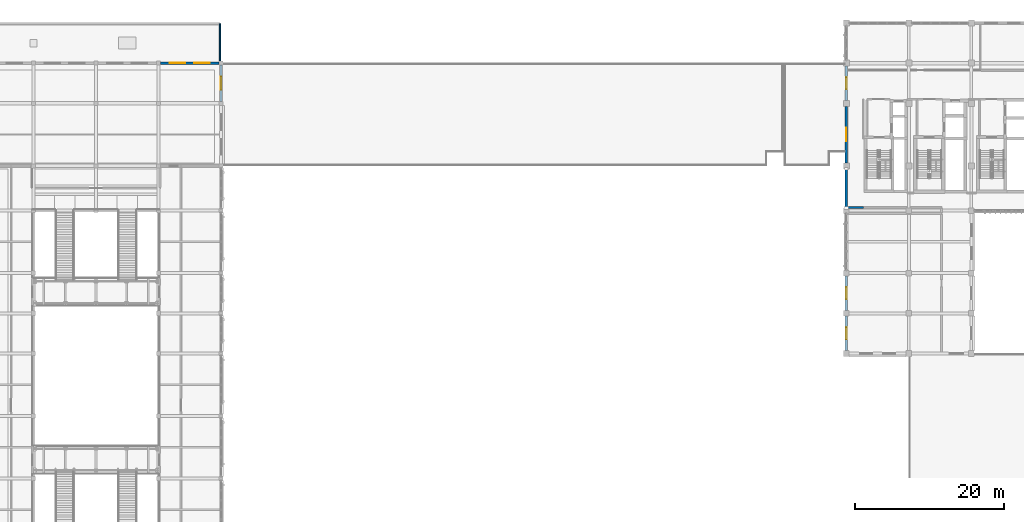
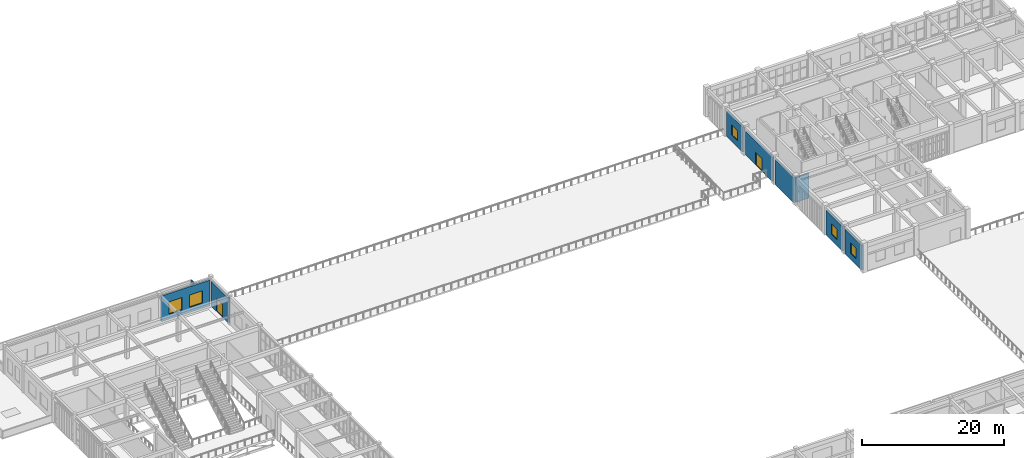
# One storey, part 78 of 93: 9 walls, 5 windows, 2 doors, 7 openings.
"""IFC4 building model written with IfcOpenShell, lengths in metres."""

from ifc_helpers import new_model, si_unit, direction, frame, frame_2d, origin, place, context, subcontext, project, spatial, rectangle, extrude, material, layer, layer_set, type_object, element, fill, save


model = new_model("IFC4")

# Units and contexts
model_context = context("Model", 3, precision=1e-05, world=origin(), true_north=direction((0.0, 1.0)))
body_context = subcontext(model_context, "Body", "Model", "MODEL_VIEW")
ifc_project = project(units=[si_unit("LENGTHUNIT", "METRE"), si_unit("AREAUNIT", "SQUARE_METRE"), si_unit("VOLUMEUNIT", "CUBIC_METRE"), si_unit("PLANEANGLEUNIT", "RADIAN"), si_unit("MASSUNIT", "GRAM", prefix="KILO")], contexts=[model_context])

# Site, building, storey
site_placement = place(None, origin())
site = spatial("IfcSite", under=ifc_project, at=site_placement, CompositionType="ELEMENT")
building_placement = place(site_placement, origin())
building = spatial("IfcBuilding", under=site, at=building_placement, Name="Krzemoval Escarpment Law Courts", CompositionType="ELEMENT")
storey_placement = place(building_placement, frame((0.0, 0.0, 10.199951171875)))
storey = spatial("IfcBuildingStorey", under=building, at=storey_placement, Name="L02", CompositionType="ELEMENT", Elevation=10.199951171875)

# Wall, openings, windows
ifc_material_1 = material(Name="Precast concrete C40/50", Category="concrete")
ifc_layer_1 = layer(ifc_material_1, 0.300048828125)
ifc_layer_set_1 = layer_set([ifc_layer_1], Name="Precast concrete C40/50")
wall_type_1 = type_object("IfcWallType", Name="WL-EXT-300", PredefinedType="SOLIDWALL", material=ifc_layer_set_1)
wall_1_placement = place(storey_placement, frame((33.875, 113.39990234375, 0.0), z_axis=(0.0, 0.0, 1.0), x_axis=(1.0, 0.0, 0.0)))
wall_1 = element("IfcWall", 1, at=wall_1_placement, inside=storey, type_object=wall_type_1, Name="Exterior Wall EW-L02-0272", PredefinedType="SOLIDWALL", context=body_context, shape_type="SweptSolid", body=[
    extrude(rectangle(XDim=7.85009765625, YDim=0.300048828125, at=frame_2d((3.925048828125, 0.0))), origin(), (0.0, 0.0, 1.0), 4.429931640625),
])
opening_1_placement = place(wall_1_placement, frame((1.217041015625, 0.0, 0.89990234375)))
opening_1 = element("IfcOpeningElement", 2, at=opening_1_placement, cuts=wall_1, Name="Opening WN-L02-0292", PredefinedType="OPENING", context=body_context, shape_type="SweptSolid", body=[
    extrude(rectangle(XDim=2.10009765625, YDim=2.10009765625, at=frame_2d((1.050048828125, 1.050048828125))), frame((0.0, 0.16502, 0.0), z_axis=(0.0, -1.0, 0.0), x_axis=(1.0, 0.0, 0.0)), (0.0, 0.0, 1.0), 0.33005),
])
opening_2_placement = place(wall_1_placement, frame((4.532958984375, 0.0, 0.89990234375)))
opening_2 = element("IfcOpeningElement", 3, at=opening_2_placement, cuts=wall_1, Name="Opening WN-L02-0293", PredefinedType="OPENING", context=body_context, shape_type="SweptSolid", body=[
    extrude(rectangle(XDim=2.10009765625, YDim=2.10009765625, at=frame_2d((1.050048828125, 1.050048828125))), frame((0.0, 0.16502, 0.0), z_axis=(0.0, -1.0, 0.0), x_axis=(1.0, 0.0, 0.0)), (0.0, 0.0, 1.0), 0.33005),
])
ifc_material_2 = material(Name="Thermally Broken Aluminium Frame with Triple Low-E Acoustic Glass", Category="aluminium")
window_type_1 = type_object("IfcWindowType", Name="WN-2100x2100", PartitioningType="SINGLE_PANEL", PredefinedType="WINDOW", material=ifc_material_2)
window_1_placement = place(opening_1_placement, origin())
window_1 = element("IfcWindow", 4, at=window_1_placement, inside=storey, type_object=window_type_1, Name="Facade Window WN-L02-0292", OverallHeight=2.10009765625, OverallWidth=2.10009765625, PartitioningType="SINGLE_PANEL", PredefinedType="WINDOW", context=body_context, shape_type="SweptSolid", body=[
    extrude(rectangle(XDim=2.10009765625, YDim=2.10009765625, at=frame_2d((1.050048828125, 1.050048828125))), frame((0.0, 0.030029296875, 0.0), z_axis=(0.0, -1.0, 0.0), x_axis=(1.0, 0.0, 0.0)), (0.0, 0.0, 1.0), 0.06005859375),
])
fill(opening_1, window_1)
window_2_placement = place(opening_2_placement, origin())
window_2 = element("IfcWindow", 5, at=window_2_placement, inside=storey, type_object=window_type_1, Name="Facade Window WN-L02-0293", OverallHeight=2.10009765625, OverallWidth=2.10009765625, PartitioningType="SINGLE_PANEL", PredefinedType="WINDOW", context=body_context, shape_type="SweptSolid", body=[
    extrude(rectangle(XDim=2.10009765625, YDim=2.10009765625, at=frame_2d((1.050048828125, 1.050048828125))), frame((0.0, 0.030029296875, 0.0), z_axis=(0.0, -1.0, 0.0), x_axis=(1.0, 0.0, 0.0)), (0.0, 0.0, 1.0), 0.06005859375),
])
fill(opening_2, window_2)

# Wall, opening, door
wall_2_placement = place(storey_placement, frame((42.0, 113.125, 0.0), z_axis=(0.0, 0.0, 1.0), x_axis=(0.0, -1.0, 0.0)))
wall_2 = element("IfcWall", 6, at=wall_2_placement, inside=storey, type_object=wall_type_1, Name="Exterior Wall EW-L02-0273", PredefinedType="SOLIDWALL", context=body_context, shape_type="SweptSolid", body=[
    extrude(rectangle(XDim=4.85009765625, YDim=0.300048828125, at=frame_2d((2.425048828125, 0.0))), origin(), (0.0, 0.0, 1.0), 4.27001953125),
])
opening_3_placement = place(wall_2_placement, frame((1.52490234375, 0.0, 0.0)))
opening_3 = element("IfcOpeningElement", 7, at=opening_3_placement, cuts=wall_2, Name="Opening TD-L02-18", PredefinedType="OPENING", context=body_context, shape_type="SweptSolid", body=[
    extrude(rectangle(XDim=1.800048828125, YDim=2.199951171875, at=frame_2d((0.89990234375, 1.10009765625))), frame((0.0, 0.16502, 0.0), z_axis=(0.0, -1.0, 0.0), x_axis=(1.0, 0.0, 0.0)), (0.0, 0.0, 1.0), 0.33005),
])
ifc_material_3 = material(Name="Thermally Broken Aluminium and Laminated Safety Glass", Category="aluminium")
door_type = type_object("IfcDoorType", Name="DR-TER-1800x2200", OperationType="SINGLE_SWING_LEFT", PredefinedType="DOOR", material=ifc_material_3)
door_1_placement = place(opening_3_placement, origin())
door_1 = element("IfcDoor", 8, at=door_1_placement, inside=storey, type_object=door_type, Name="Terrace Access Door TD-L02-18", OperationType="DOUBLE_DOOR_SINGLE_SWING", OverallHeight=2.199951171875, OverallWidth=1.800048828125, PredefinedType="DOOR", context=body_context, shape_type="SweptSolid", body=[
    extrude(rectangle(XDim=1.800048828125, YDim=2.199951171875, at=frame_2d((0.89990234375, 1.10009765625))), frame((0.0, 0.02490234375, 0.0), z_axis=(0.0, -1.0, 0.0), x_axis=(1.0, 0.0, 0.0)), (0.0, 0.0, 1.0), 0.050048828125),
])
fill(opening_3, door_1)

# Wall, opening, window
wall_3_placement = place(storey_placement, frame((126.0, 74.77490234375, 0.0), z_axis=(0.0, 0.0, 1.0), x_axis=(0.0, 1.0, 0.0)))
wall_3 = element("IfcWall", 9, at=wall_3_placement, inside=storey, type_object=wall_type_1, Name="Exterior Wall EW-L02-0323", PredefinedType="SOLIDWALL", context=body_context, shape_type="SweptSolid", body=[
    extrude(rectangle(XDim=4.650146484375, YDim=0.300048828125, at=frame_2d((2.3251953125, 0.0))), origin(), (0.0, 0.0, 1.0), 4.27001953125),
])
opening_4_placement = place(wall_3_placement, frame((1.52490234375, 0.0, 1.050048828125)))
opening_4 = element("IfcOpeningElement", 10, at=opening_4_placement, cuts=wall_3, Name="Opening WN-L02-0353", PredefinedType="OPENING", context=body_context, shape_type="SweptSolid", body=[
    extrude(rectangle(XDim=1.60009765625, YDim=1.800048828125, at=frame_2d((0.800048828125, 0.89990234375))), frame((0.0, 0.16502, 0.0), z_axis=(0.0, -1.0, 0.0), x_axis=(1.0, 0.0, 0.0)), (0.0, 0.0, 1.0), 0.33005),
])
ifc_material_4 = material(Name="Thermally Broken Aluminium Frame with Triple Low-E Acoustic Glass", Category="aluminium")
window_type_2 = type_object("IfcWindowType", Name="WN-1600x1800", PartitioningType="SINGLE_PANEL", PredefinedType="WINDOW", material=ifc_material_4)
window_3_placement = place(opening_4_placement, origin())
window_3 = element("IfcWindow", 11, at=window_3_placement, inside=storey, type_object=window_type_2, Name="Facade Window WN-L02-0353", OverallHeight=1.800048828125, OverallWidth=1.60009765625, PartitioningType="SINGLE_PANEL", PredefinedType="WINDOW", context=body_context, shape_type="SweptSolid", body=[
    extrude(rectangle(XDim=1.60009765625, YDim=1.800048828125, at=frame_2d((0.800048828125, 0.89990234375))), frame((0.0, 0.030029296875, 0.0), z_axis=(0.0, -1.0, 0.0), x_axis=(1.0, 0.0, 0.0)), (0.0, 0.0, 1.0), 0.06005859375),
])
fill(opening_4, window_3)

wall_4_placement = place(storey_placement, frame((126.0, 80.175048828125, 0.0), z_axis=(0.0, 0.0, 1.0), x_axis=(0.0, 1.0, 0.0)))
wall_4 = element("IfcWall", 12, at=wall_4_placement, inside=storey, type_object=wall_type_1, Name="Exterior Wall EW-L02-0324", PredefinedType="SOLIDWALL", context=body_context, shape_type="SweptSolid", body=[
    extrude(rectangle(XDim=4.64990234375, YDim=0.300048828125, at=frame_2d((2.324951171875, 0.0))), origin(), (0.0, 0.0, 1.0), 4.27001953125),
])
opening_5_placement = place(wall_4_placement, frame((1.52490234375, 0.0, 1.050048828125)))
opening_5 = element("IfcOpeningElement", 13, at=opening_5_placement, cuts=wall_4, Name="Opening WN-L02-0354", PredefinedType="OPENING", context=body_context, shape_type="SweptSolid", body=[
    extrude(rectangle(XDim=1.60009765625, YDim=1.800048828125, at=frame_2d((0.800048828125, 0.89990234375))), frame((0.0, 0.16502, 0.0), z_axis=(0.0, -1.0, 0.0), x_axis=(1.0, 0.0, 0.0)), (0.0, 0.0, 1.0), 0.33005),
])
window_4_placement = place(opening_5_placement, origin())
window_4 = element("IfcWindow", 14, at=window_4_placement, inside=storey, type_object=window_type_2, Name="Facade Window WN-L02-0354", OverallHeight=1.800048828125, OverallWidth=1.60009765625, PartitioningType="SINGLE_PANEL", PredefinedType="WINDOW", context=body_context, shape_type="SweptSolid", body=[
    extrude(rectangle(XDim=1.60009765625, YDim=1.800048828125, at=frame_2d((0.800048828125, 0.89990234375))), frame((0.0, 0.030029296875, 0.0), z_axis=(0.0, -1.0, 0.0), x_axis=(1.0, 0.0, 0.0)), (0.0, 0.0, 1.0), 0.06005859375),
])
fill(opening_5, window_4)

# Wall
wall_5_placement = place(storey_placement, frame((126.0, 93.97509765625, 0.0), z_axis=(0.0, 0.0, 1.0), x_axis=(0.0, 1.0, 0.0)))
element("IfcWall", 15, at=wall_5_placement, inside=storey, type_object=wall_type_1, Name="Exterior Wall EW-L02-0325", PredefinedType="SOLIDWALL", context=body_context, shape_type="SweptSolid", body=[
    extrude(rectangle(XDim=5.224853515625, YDim=0.300048828125, at=frame_2d((2.6123046875, 0.0))), origin(), (0.0, 0.0, 1.0), 4.27001953125),
])

# Wall, opening, door
wall_6_placement = place(storey_placement, frame((126.0, 100.0, 0.0), z_axis=(0.0, 0.0, 1.0), x_axis=(0.0, 1.0, 0.0)))
wall_6 = element("IfcWall", 16, at=wall_6_placement, inside=storey, type_object=wall_type_1, Name="Exterior Wall EW-L02-0326", PredefinedType="SOLIDWALL", context=body_context, shape_type="SweptSolid", body=[
    extrude(rectangle(XDim=7.60009765625, YDim=0.300048828125, at=frame_2d((3.800048828125, 0.0))), origin(), (0.0, 0.0, 1.0), 4.1201171875),
])
opening_6_placement = place(wall_6_placement, frame((2.89990234375, 0.0, 0.0)))
opening_6 = element("IfcOpeningElement", 17, at=opening_6_placement, cuts=wall_6, Name="Opening TD-L02-20", PredefinedType="OPENING", context=body_context, shape_type="SweptSolid", body=[
    extrude(rectangle(XDim=1.800048828125, YDim=2.199951171875, at=frame_2d((0.89990234375, 1.10009765625))), frame((0.0, 0.16502, 0.0), z_axis=(0.0, -1.0, 0.0), x_axis=(1.0, 0.0, 0.0)), (0.0, 0.0, 1.0), 0.33005),
])
door_2_placement = place(opening_6_placement, origin())
door_2 = element("IfcDoor", 18, at=door_2_placement, inside=storey, type_object=door_type, Name="Terrace Access Door TD-L02-20", OperationType="DOUBLE_DOOR_SINGLE_SWING", OverallHeight=2.199951171875, OverallWidth=1.800048828125, PredefinedType="DOOR", context=body_context, shape_type="SweptSolid", body=[
    extrude(rectangle(XDim=1.800048828125, YDim=2.199951171875, at=frame_2d((0.89990234375, 1.10009765625))), frame((0.0, 0.02490234375, 0.0), z_axis=(0.0, -1.0, 0.0), x_axis=(1.0, 0.0, 0.0)), (0.0, 0.0, 1.0), 0.050048828125),
])
fill(opening_6, door_2)

# Wall, opening, window
wall_7_placement = place(storey_placement, frame((126.0, 108.39990234375, 0.0), z_axis=(0.0, 0.0, 1.0), x_axis=(0.0, 1.0, 0.0)))
wall_7 = element("IfcWall", 19, at=wall_7_placement, inside=storey, type_object=wall_type_1, Name="Exterior Wall EW-L02-0327", PredefinedType="SOLIDWALL", context=body_context, shape_type="SweptSolid", body=[
    extrude(rectangle(XDim=4.60009765625, YDim=0.300048828125, at=frame_2d((2.300048828125, 0.0))), origin(), (0.0, 0.0, 1.0), 4.27001953125),
])
opening_7_placement = place(wall_7_placement, frame((1.5, 0.0, 1.050048828125)))
opening_7 = element("IfcOpeningElement", 20, at=opening_7_placement, cuts=wall_7, Name="Opening WN-L02-0355", PredefinedType="OPENING", context=body_context, shape_type="SweptSolid", body=[
    extrude(rectangle(XDim=1.60009765625, YDim=1.800048828125, at=frame_2d((0.800048828125, 0.89990234375))), frame((0.0, 0.16502, 0.0), z_axis=(0.0, -1.0, 0.0), x_axis=(1.0, 0.0, 0.0)), (0.0, 0.0, 1.0), 0.33005),
])
window_5_placement = place(opening_7_placement, origin())
window_5 = element("IfcWindow", 21, at=window_5_placement, inside=storey, type_object=window_type_2, Name="Facade Window WN-L02-0355", OverallHeight=1.800048828125, OverallWidth=1.60009765625, PartitioningType="SINGLE_PANEL", PredefinedType="WINDOW", context=body_context, shape_type="SweptSolid", body=[
    extrude(rectangle(XDim=1.60009765625, YDim=1.800048828125, at=frame_2d((0.800048828125, 0.89990234375))), frame((0.0, 0.030029296875, 0.0), z_axis=(0.0, -1.0, 0.0), x_axis=(1.0, 0.0, 0.0)), (0.0, 0.0, 1.0), 0.06005859375),
])
fill(opening_7, window_5)

# Walls
ifc_material_5 = material(Name="Precast concrete C40/50", Category="concrete")
ifc_layer_2 = layer(ifc_material_5, 0.179931640625)
ifc_layer_set_2 = layer_set([ifc_layer_2], Name="Precast concrete C40/50")
wall_type_2 = type_object("IfcWallType", Name="WL-PAR-180", PredefinedType="PARAPET", material=ifc_layer_set_2)
wall_8_placement = place(storey_placement, frame((41.85009765625, 113.64990234375, 0.0), z_axis=(0.0, 0.0, 1.0), x_axis=(0.0, 1.0, 0.0)))
element("IfcWall", 22, at=wall_8_placement, inside=storey, type_object=wall_type_2, Name="Roof Parapet PR-L02-005", PredefinedType="PARAPET", context=body_context, shape_type="SweptSolid", body=[
    extrude(rectangle(XDim=5.0400390625, YDim=0.179931640625, at=frame_2d((2.52001953125, 0.0))), origin(), (0.0, 0.0, 1.0), 1.150146484375),
])
ifc_material_6 = material(Name="Acoustic Courtroom Partition Assembly", Category="gypsum")
ifc_layer_3 = layer(ifc_material_6, 0.239990234375)
ifc_layer_set_3 = layer_set([ifc_layer_3], Name="Acoustic Courtroom Partition Assembly")
wall_type_3 = type_object("IfcWallType", Name="WL-PRT-240", PredefinedType="PARTITIONING", material=ifc_layer_set_3)
wall_9_placement = place(storey_placement, frame((126.152099609375, 94.0, 0.0), z_axis=(0.0, 0.0, 1.0), x_axis=(1.0, 0.0, 0.0)))
element("IfcWall", 23, at=wall_9_placement, inside=storey, type_object=wall_type_3, Name="Interior Partition PW-L02-0403", PredefinedType="PARTITIONING", context=body_context, shape_type="SweptSolid", body=[
    extrude(rectangle(XDim=2.14794921875, YDim=0.239990234375, at=frame_2d((1.073974609375, 0.0))), origin(), (0.0, 0.0, 1.0), 4.27001953125),
])

save(model, "model.ifc")
